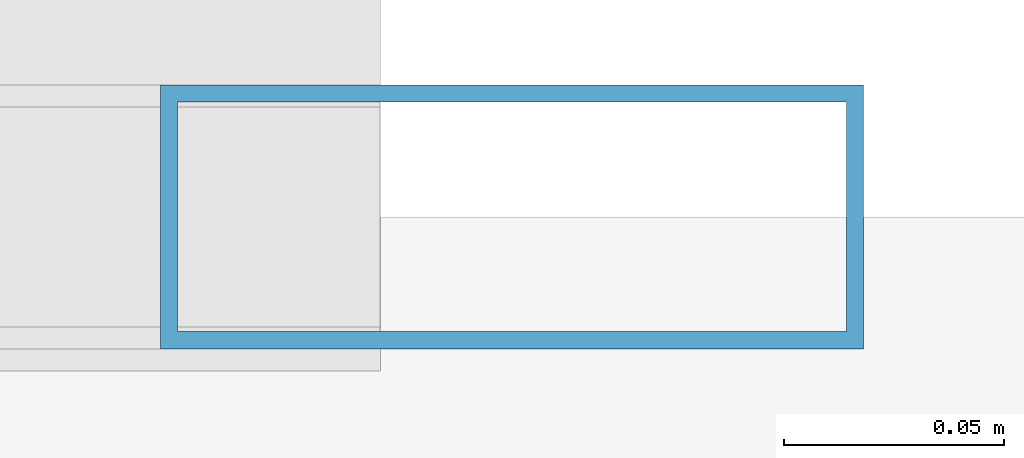
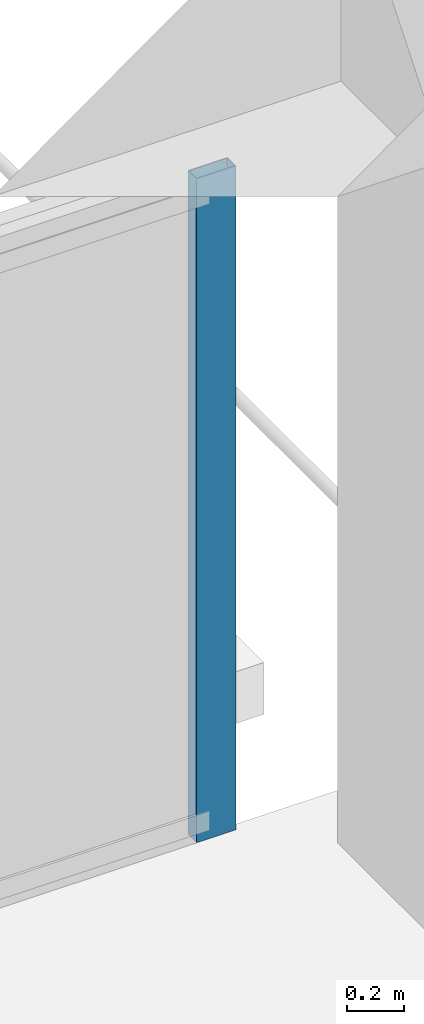
# One storey, part 26 of 42: 1 member, 1 element without a shape of its own.
"""IFC4 building model written with IfcOpenShell, lengths in metres."""

from ifc_helpers import new_model, si_unit, direction, frame, origin, origin_2d, place, context, subcontext, project, spatial, hollow_rectangle, extrude, material, material_profile, profile_set, type_object, element, aggregate, save


model = new_model("IFC4")

# Units and contexts
model_context = context("Model", 3, precision=1e-05, world=origin(), true_north=direction((0.0, 1.0)))
body_context = subcontext(model_context, "Body", "Model", "MODEL_VIEW")
ifc_project = project(units=[si_unit("LENGTHUNIT", "METRE"), si_unit("AREAUNIT", "SQUARE_METRE"), si_unit("VOLUMEUNIT", "CUBIC_METRE"), si_unit("PLANEANGLEUNIT", "RADIAN"), si_unit("MASSUNIT", "GRAM", prefix="KILO")], contexts=[model_context])

# Site, building, storey
site_placement = place(None, origin())
site = spatial("IfcSite", under=ifc_project, at=site_placement, CompositionType="ELEMENT")
building_placement = place(site_placement, origin())
building = spatial("IfcBuilding", under=site, at=building_placement, Name="Kazehaya Institute of Natural Sciences", CompositionType="ELEMENT")
storey_placement = place(building_placement, frame((0.0, 0.0, 37.6201171875)))
storey = spatial("IfcBuildingStorey", under=building, at=storey_placement, Name="L08", CompositionType="ELEMENT", Elevation=37.6201171875)

# Curtain wall, member
ifc_material = material(Name="Aluminium alloy A6063S-T5", Category="aluminium")
curtain_wall_type = type_object("IfcCurtainWallType", Name="CW-SYS-05", PredefinedType="NOTDEFINED", material=ifc_material)
curtain_wall_placement = place(storey_placement, origin())
curtain_wall = element("IfcCurtainWall", 1, at=curtain_wall_placement, inside=storey, type_object=curtain_wall_type, Name="L08 unitised curtain wall CW-L08-192", PredefinedType="NOTDEFINED")
ifc_material_profile = material_profile(ifc_material, hollow_rectangle(XDim=0.06005859375, YDim=0.159912109375, WallThickness=0.00390625, at=origin_2d()), Name="ALU-60x160x4")
ifc_profile_set = profile_set([ifc_material_profile], Name="Aluminium alloy A6063S-T5")
member_type = type_object("IfcMemberType", Name="CWM-160", PredefinedType="MULLION", material=ifc_profile_set)
member_placement = place(storey_placement, frame((118.72998046875, 29.0, 0.0), z_axis=(0.0, 0.0, 1.0), x_axis=(0.0, 1.0, 0.0)))
member = element("IfcMember", 2, at=member_placement, type_object=member_type, Name="CW05 mullion 3", PredefinedType="MULLION", context=body_context, shape_type="SweptSolid", body=[
    extrude(hollow_rectangle(XDim=0.06005859375, YDim=0.159912109375, WallThickness=0.00390625, at=origin_2d()), origin(), (0.0, 0.0, 1.0), 2.81982421875),
])
aggregate(curtain_wall, [member])

save(model, "model.ifc")
